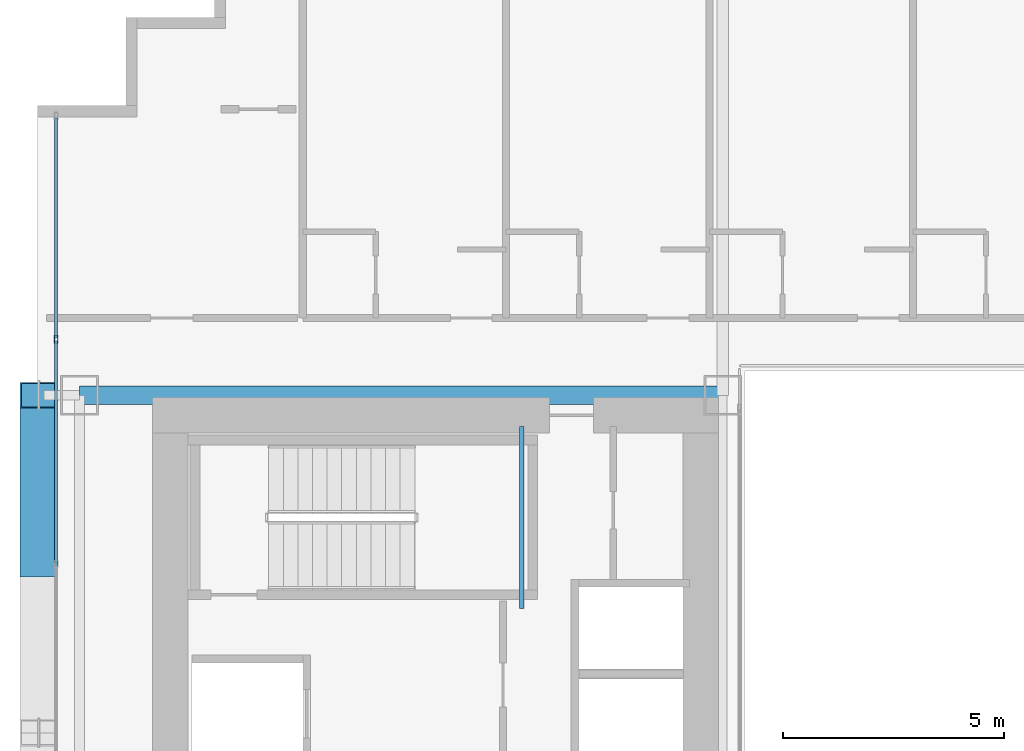
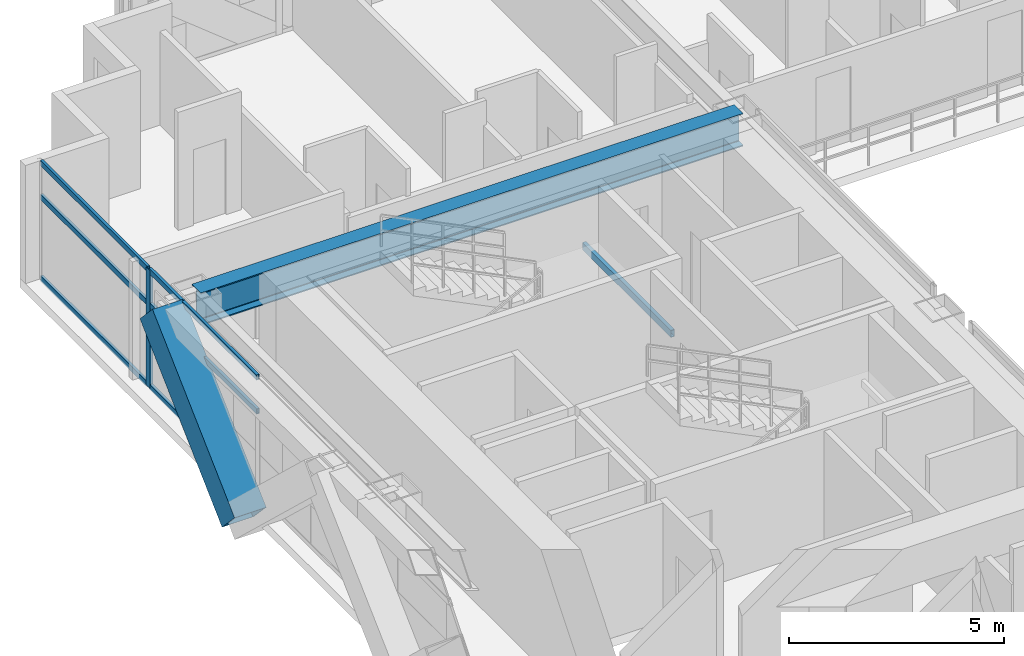
# One storey, part 19 of 41: 8 members, 2 beams, 1 element without a shape of its own.
"""IFC4 building model written with IfcOpenShell, lengths in metres."""

from ifc_helpers import new_model, si_unit, direction, frame, origin, origin_2d, place, context, subcontext, project, spatial, hollow_rectangle, i_section, extrude, source, transform, mapped, material, layer, layer_set, material_profile, profile_set, type_object, element, aggregate, save


model = new_model("IFC4")

# Units and contexts
model_context = context("Model", 3, precision=1e-05, world=origin(), true_north=direction((0.0, 1.0)))
body_context = subcontext(model_context, "Body", "Model", "MODEL_VIEW")
ifc_project = project(units=[si_unit("LENGTHUNIT", "METRE"), si_unit("AREAUNIT", "SQUARE_METRE"), si_unit("VOLUMEUNIT", "CUBIC_METRE"), si_unit("PLANEANGLEUNIT", "RADIAN"), si_unit("MASSUNIT", "GRAM", prefix="KILO")], contexts=[model_context])

# Site, building, storey
site_placement = place(None, origin())
site = spatial("IfcSite", under=ifc_project, at=site_placement, CompositionType="ELEMENT")
building_placement = place(site_placement, origin())
building = spatial("IfcBuilding", under=site, at=building_placement, Name="Ocotamira Hotel", CompositionType="ELEMENT")
storey_placement = place(building_placement, frame((0.0, 0.0, 38.39990234375)))
storey = spatial("IfcBuildingStorey", under=building, at=storey_placement, Name="L08", CompositionType="ELEMENT", Elevation=38.39990234375)

# Beams
ifc_material_1 = material(Name="Steel ASTM A500 Grade C", Category="steel")
ifc_material_profile_1 = material_profile(ifc_material_1, hollow_rectangle(XDim=0.10009765625, YDim=0.199951171875, WallThickness=0.008056640625, at=origin_2d()), Name="HSS200X100X8")
ifc_profile_set_1 = profile_set([ifc_material_profile_1], Name="Steel ASTM A500 Grade C")
beam_type_1 = type_object("IfcBeamType", Name="BM-STLDG-HSS200", PredefinedType="BEAM", material=ifc_profile_set_1)
shared_shape_1 = source(origin(), body_context, "Body", "SweptSolid", [
    extrude(hollow_rectangle(XDim=0.10009765625, YDim=0.199951171875, WallThickness=0.008056640625, at=origin_2d()), origin(), (0.0, 0.0, 1.0), 4.1201171875),
])
beam_1_placement = place(storey_placement, frame((18.949951171875, 32.6298828125, 1.5), z_axis=(0.0, 1.0, 0.0), x_axis=(-1.0, 0.0, 0.0)))
element("IfcBeam", 1, at=beam_1_placement, inside=storey, type_object=beam_type_1, Name="L08 Stair ST-2 Landing Bearer 1", PredefinedType="BEAM", context=body_context, shape_type="MappedRepresentation", body=[
    mapped(shared_shape_1, transform((0.0, 0.0, 0.0), scale=1.0)),
])
ifc_material_2 = material(Name="Steel ASTM A992 Grade 50", Category="steel")
ifc_material_profile_2 = material_profile(ifc_material_2, i_section(OverallWidth=0.41796875, OverallDepth=0.927001953125, WebThickness=0.019287109375, FlangeThickness=0.031982421875, FilletRadius=0.02392578125, at=origin_2d()), Name="W36X231")
ifc_profile_set_2 = profile_set([ifc_material_profile_2], Name="Steel ASTM A992 Grade 50")
beam_type_2 = type_object("IfcBeamType", Name="BM-GIRD-W36X231", PredefinedType="BEAM", material=ifc_profile_set_2)
shared_shape_2 = source(origin(), body_context, "Body", "SweptSolid", [
    extrude(i_section(OverallWidth=0.41796875, OverallDepth=0.927001953125, WebThickness=0.019287109375, FlangeThickness=0.031982421875, FilletRadius=0.02392578125, at=origin_2d()), origin(), (0.0, 0.0, 1.0), 14.550048828125),
])
beam_2_placement = place(storey_placement, frame((8.949951171875, 37.449951171875, 2.88671875), z_axis=(1.0, 0.0, 0.0), x_axis=(0.0, 1.0, 0.0)))
element("IfcBeam", 2, at=beam_2_placement, inside=storey, type_object=beam_type_2, Name="L08 Girder Y37.45 X8.95-23.5", PredefinedType="BEAM", context=body_context, shape_type="MappedRepresentation", body=[
    mapped(shared_shape_2, transform((0.0, 0.0, 0.0), scale=1.0)),
])

# Member
ifc_material_3 = material(Name="Pale-metal coated steel ASTM A913 Grade 65", Category="steel")
ifc_material_profile_3 = material_profile(ifc_material_3, hollow_rectangle(XDim=0.85009765625, YDim=0.85009765625, WallThickness=0.035888671875, at=origin_2d()), Name="BOX850X850X36")
ifc_profile_set_3 = profile_set([ifc_material_profile_3], Name="Pale-metal coated steel ASTM A913 Grade 65")
member_type_1 = type_object("IfcMemberType", Name="MEM-EXO-BOX850", PredefinedType="BRACE", material=ifc_profile_set_3)
shared_shape_3 = source(origin(), body_context, "Body", "SweptSolid", [
    extrude(hollow_rectangle(XDim=0.85009765625, YDim=0.85009765625, WallThickness=0.035888671875, at=origin_2d()), origin(), (0.0, 0.0, 1.0), 5.24658203125),
])
member_1_placement = place(storey_placement, frame((8.030029296875, 33.63330078125, -0.5), z_axis=(0.0, 0.727442733726, 0.686168397078), x_axis=(-1.0, 0.0, 0.0)))
element("IfcMember", 3, at=member_1_placement, inside=storey, type_object=member_type_1, Name="L08 Exoskeleton Diagrid W2.2", PredefinedType="BRACE", context=body_context, shape_type="MappedRepresentation", body=[
    mapped(shared_shape_3, transform((0.0, 0.0, 0.0), scale=1.0)),
])

# Curtain wall, members
ifc_material_4 = material(Name="Anodised pale-metal aluminium and solar glass", Category="aluminium")
ifc_layer = layer(ifc_material_4, 0.179931640625)
ifc_layer_set = layer_set([ifc_layer], Name="Anodised pale-metal aluminium and solar glass")
curtain_wall_type = type_object("IfcCurtainWallType", Name="CW-SYS2-Z1", PredefinedType="NOTDEFINED", material=ifc_layer_set)
curtain_wall_placement = place(storey_placement, origin())
curtain_wall = element("IfcCurtainWall", 4, at=curtain_wall_placement, inside=storey, type_object=curtain_wall_type, Name="L08 Curtain Wall CW-2 CW-L08-W", PredefinedType="NOTDEFINED")
ifc_material_5 = material(Name="Anodised pale-metal aluminium 6063-T6", Category="aluminium")
ifc_material_profile_4 = material_profile(ifc_material_5, hollow_rectangle(XDim=0.074951171875, YDim=0.14990234375, WallThickness=0.006103515625, at=origin_2d()), Name="HSS150X75X6")
ifc_profile_set_4 = profile_set([ifc_material_profile_4], Name="Anodised pale-metal aluminium 6063-T6")
member_type_2 = type_object("IfcMemberType", Name="CWT-150X75", PredefinedType="USERDEFINED", material=ifc_profile_set_4)
shared_shape_4 = source(origin(), body_context, "Body", "SweptSolid", [
    extrude(hollow_rectangle(XDim=0.074951171875, YDim=0.14990234375, WallThickness=0.006103515625, at=origin_2d()), origin(), (0.0, 0.0, 1.0), 4.965576171875),
])
member_2_placement = place(storey_placement, frame((8.419921875, 38.75439453125, 0.03759765625), z_axis=(0.0, 1.0, 0.0), x_axis=(-1.0, 0.0, 0.0)))
member_2 = element("IfcMember", 5, at=member_2_placement, type_object=member_type_2, Name="CW-2 transom 7.1", ObjectType="TRANSOM", PredefinedType="USERDEFINED", context=body_context, shape_type="MappedRepresentation", body=[
    mapped(shared_shape_4, transform((0.0, 0.0, 0.0), scale=1.0)),
])
member_3_placement = place(storey_placement, frame((8.419921875, 38.75439453125, 2.35009765625), z_axis=(0.0, 1.0, 0.0), x_axis=(-1.0, 0.0, 0.0)))
member_3 = element("IfcMember", 6, at=member_3_placement, type_object=member_type_2, Name="CW-2 transom 7.2", ObjectType="TRANSOM", PredefinedType="USERDEFINED", context=body_context, shape_type="MappedRepresentation", body=[
    mapped(shared_shape_4, transform((0.0, 0.0, 0.0), scale=1.0)),
])
member_4_placement = place(storey_placement, frame((8.419921875, 38.75439453125, 3.3125), z_axis=(0.0, 1.0, 0.0), x_axis=(-1.0, 0.0, 0.0)))
member_4 = element("IfcMember", 7, at=member_4_placement, type_object=member_type_2, Name="CW-2 transom 7.3", ObjectType="TRANSOM", PredefinedType="USERDEFINED", context=body_context, shape_type="MappedRepresentation", body=[
    mapped(shared_shape_4, transform((0.0, 0.0, 0.0), scale=1.0)),
])
shared_shape_5 = source(origin(), body_context, "Body", "SweptSolid", [
    extrude(hollow_rectangle(XDim=0.074951171875, YDim=0.14990234375, WallThickness=0.006103515625, at=origin_2d()), origin(), (0.0, 0.0, 1.0), 5.005859375),
])
member_5_placement = place(storey_placement, frame((8.419921875, 33.66845703125, 0.03759765625), z_axis=(0.0, 1.0, 0.0), x_axis=(-1.0, 0.0, 0.0)))
member_5 = element("IfcMember", 8, at=member_5_placement, type_object=member_type_2, Name="CW-2 transom 6.1", ObjectType="TRANSOM", PredefinedType="USERDEFINED", context=body_context, shape_type="MappedRepresentation", body=[
    mapped(shared_shape_5, transform((0.0, 0.0, 0.0), scale=1.0)),
])
member_6_placement = place(storey_placement, frame((8.419921875, 33.66845703125, 2.35009765625), z_axis=(0.0, 1.0, 0.0), x_axis=(-1.0, 0.0, 0.0)))
member_6 = element("IfcMember", 9, at=member_6_placement, type_object=member_type_2, Name="CW-2 transom 6.2", ObjectType="TRANSOM", PredefinedType="USERDEFINED", context=body_context, shape_type="MappedRepresentation", body=[
    mapped(shared_shape_5, transform((0.0, 0.0, 0.0), scale=1.0)),
])
member_7_placement = place(storey_placement, frame((8.419921875, 33.66845703125, 3.3125), z_axis=(0.0, 1.0, 0.0), x_axis=(-1.0, 0.0, 0.0)))
member_7 = element("IfcMember", 10, at=member_7_placement, type_object=member_type_2, Name="CW-2 transom 6.3", ObjectType="TRANSOM", PredefinedType="USERDEFINED", context=body_context, shape_type="MappedRepresentation", body=[
    mapped(shared_shape_5, transform((0.0, 0.0, 0.0), scale=1.0)),
])
ifc_material_profile_5 = material_profile(ifc_material_5, hollow_rectangle(XDim=0.080078125, YDim=0.179931640625, WallThickness=0.006103515625, at=origin_2d()), Name="HSS180X80X6")
ifc_profile_set_5 = profile_set([ifc_material_profile_5], Name="Anodised pale-metal aluminium 6063-T6")
member_type_3 = type_object("IfcMemberType", Name="CWM-180X75", PredefinedType="MULLION", material=ifc_profile_set_5)
shared_shape_6 = source(origin(), body_context, "Body", "SweptSolid", [
    extrude(hollow_rectangle(XDim=0.080078125, YDim=0.179931640625, WallThickness=0.006103515625, at=origin_2d()), origin(), (0.0, 0.0, 1.0), 3.35009765625),
])
member_8_placement = place(storey_placement, frame((8.419921875, 38.71435546875, 0.0), z_axis=(0.0, 0.0, 1.0), x_axis=(-1.0, 0.0, 0.0)))
member_8 = element("IfcMember", 11, at=member_8_placement, type_object=member_type_3, Name="CW-2 mullion 7", PredefinedType="MULLION", context=body_context, shape_type="MappedRepresentation", body=[
    mapped(shared_shape_6, transform((0.0, 0.0, 0.0), scale=1.0)),
])
aggregate(curtain_wall, [member_8, member_5, member_6, member_7, member_2, member_3, member_4])

save(model, "model.ifc")
